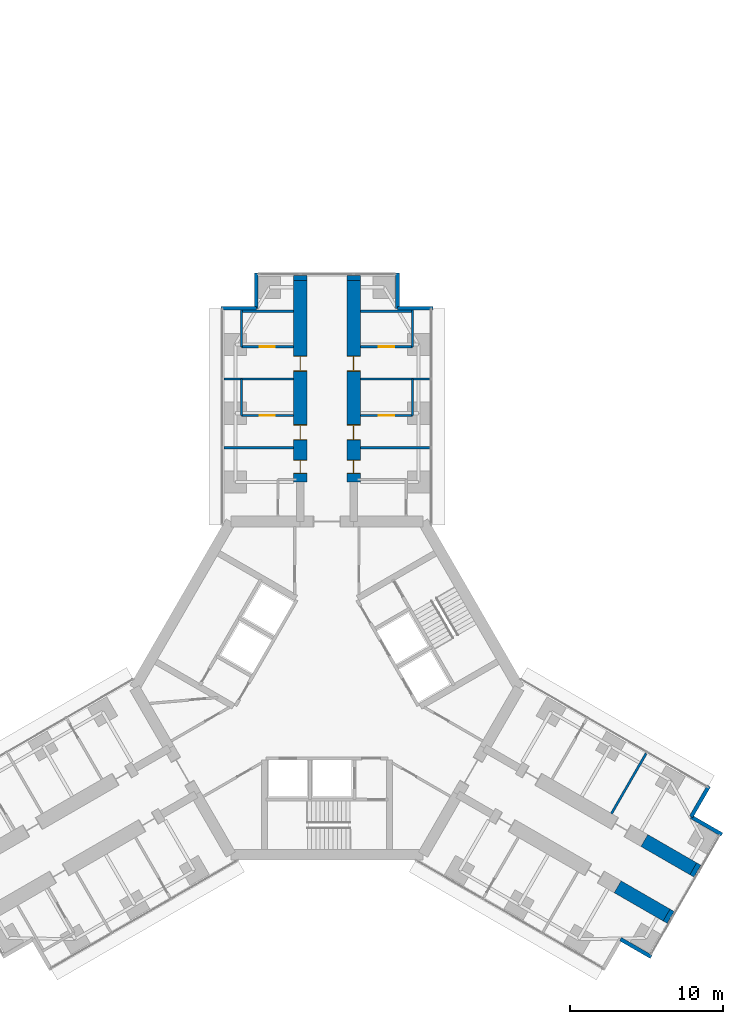
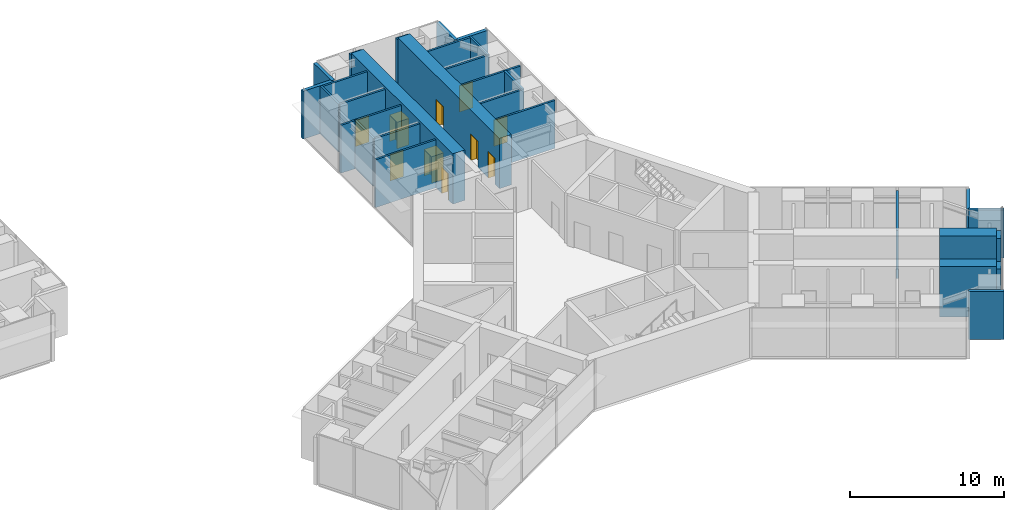
# One storey, part 22 of 24: 30 walls, 10 doors, 10 openings.
"""IFC4 building model written with IfcOpenShell, lengths in metres."""

import ifcopenshell
import ifcopenshell.guid

model = None  # the IFC model being written
_history = None  # IfcOwnerHistory: only IFC2X3 demands one
_inside = {}  # id of a spatial element -> (the spatial element, [elements in it])
_under = {}  # id of a project, library or spatial element -> (it, [spatial elements below it])
_declared = {}  # id of a project -> (the project, [libraries it declares])
_typed = {}  # id of a type object -> (the type object, [elements of that type])
_made_of = {}  # id of a material, layer set ... -> (it, [elements and type objects made of it])


def new_model(schema):
    """Start an empty IFC model of exactly this schema.

    Asked for "IFC4X3", IfcOpenShell would pick the latest addendum, in which some entities
    have other attributes; the version numbers below select the first issue.
    IFC2X3 requires an IfcOwnerHistory on every rooted entity: one is made here for all.
    """
    global model, _history
    if schema == "IFC4X3":
        model = ifcopenshell.file(schema_version=(4, 3, 0, 0))
    else:
        model = ifcopenshell.file(schema=schema)
    _inside.clear()
    _under.clear()
    _declared.clear()
    _typed.clear()
    _made_of.clear()
    _history = None
    if model.schema == "IFC2X3":
        org = make("IfcOrganization", Name="unknown")
        user = make(
            "IfcPersonAndOrganization",
            ThePerson=make("IfcPerson", FamilyName="unknown"),
            TheOrganization=org,
        )
        app = make(
            "IfcApplication",
            ApplicationDeveloper=org,
            Version="unknown",
            ApplicationFullName="unknown",
            ApplicationIdentifier="unknown",
        )
        _history = make(
            "IfcOwnerHistory",
            OwningUser=user,
            OwningApplication=app,
            ChangeAction="ADDED",
            CreationDate=0,
        )
    return model


def make(cls, **values):
    """One entity of the class cls with the attributes given. An attribute that is None is left unset."""
    return model.create_entity(
        cls, **{name: value for name, value in values.items() if value is not None}
    )


def rooted(cls, **values):
    """An entity with a GlobalId (a new one), such as an element, a storey or a relation."""
    return make(cls, GlobalId=ifcopenshell.guid.new(), OwnerHistory=_history, **values)


def si_unit(unit_type, name, prefix=None):
    """IfcSIUnit, for example si_unit("LENGTHUNIT", "METRE", prefix="MILLI")."""
    return make("IfcSIUnit", UnitType=unit_type, Prefix=prefix, Name=name)


def assignment(units):
    """IfcUnitAssignment: the units of a project."""
    return None if units is None else make("IfcUnitAssignment", Units=units)


def point(xyz):
    """IfcCartesianPoint."""
    return None if xyz is None else make("IfcCartesianPoint", Coordinates=xyz)


def direction(xyz):
    """IfcDirection."""
    return None if xyz is None else make("IfcDirection", DirectionRatios=xyz)


def frame(location, z_axis=None, x_axis=None):
    """IfcAxis2Placement3D, a coordinate frame: its origin and axes. An axis left out is left unset."""
    return make(
        "IfcAxis2Placement3D",
        Location=point(location),
        Axis=direction(z_axis),
        RefDirection=direction(x_axis),
    )


def frame_2d(location, x_axis=None):
    """IfcAxis2Placement2D, a coordinate frame in the plane: its origin and x axis."""
    return make(
        "IfcAxis2Placement2D", Location=point(location), RefDirection=direction(x_axis)
    )


def origin():
    """The frame at (0, 0, 0) with its axes left unset."""
    return frame((0.0, 0.0, 0.0))


def place(relative_to, where):
    """IfcLocalPlacement: puts the frame where relative to a parent placement (None: the world)."""
    return make(
        "IfcLocalPlacement", PlacementRelTo=relative_to, RelativePlacement=where
    )


def context(
    kind, dimensions, precision=None, world=None, true_north=None, identifier=None
):
    """IfcGeometricRepresentationContext, for example the 3D "Model" context."""
    return make(
        "IfcGeometricRepresentationContext",
        ContextIdentifier=identifier,
        ContextType=kind,
        CoordinateSpaceDimension=dimensions,
        Precision=precision,
        WorldCoordinateSystem=world,
        TrueNorth=true_north,
    )


def subcontext(parent, identifier, kind, view, scale=None):
    """IfcGeometricRepresentationSubContext, for example "Body" below "Model"."""
    return make(
        "IfcGeometricRepresentationSubContext",
        ContextIdentifier=identifier,
        ContextType=kind,
        ParentContext=parent,
        TargetScale=scale,
        TargetView=view,
    )


def project(units=None, contexts=None):
    """IfcProject with its units and contexts."""
    return rooted(
        "IfcProject",
        Name="project",
        RepresentationContexts=contexts,
        UnitsInContext=assignment(units),
    )


def spatial(cls, under=None, at=None, **own):
    """A site, building, storey or space (cls), placed at a placement, below another one or the project."""
    s = rooted(cls, ObjectPlacement=at, **own)
    if under is not None:
        _under.setdefault(under.id(), (under, []))[1].append(s)
    return s


def profile(cls, at=None, kind="AREA", **sizes):
    """A parametric profile (cls). Its sizes go by their IFC names, for example OverallWidth=200.0."""
    return make(cls, ProfileType=kind, Position=at, **sizes)


def rectangle(**sizes):
    """IfcRectangleProfileDef."""
    return profile("IfcRectangleProfileDef", **sizes)


def extrude(swept, where, along, depth):
    """IfcExtrudedAreaSolid: the profile swept, set in the frame where, extruded along a direction by depth."""
    return make(
        "IfcExtrudedAreaSolid",
        SweptArea=swept,
        Position=where,
        ExtrudedDirection=direction(along),
        Depth=depth,
    )


def shape(context_of_items, identifier, shape_type, items):
    """IfcShapeRepresentation: the items that make up one representation, for example the "Body"."""
    return make(
        "IfcShapeRepresentation",
        ContextOfItems=context_of_items,
        RepresentationIdentifier=identifier,
        RepresentationType=shape_type,
        Items=items,
    )


def material(Name=None, Category=None):
    """IfcMaterial."""
    return make("IfcMaterial", Name=Name, Category=Category)


def layer(
    of_material, thickness, ventilated=None, Name=None, Category=None, Priority=None
):
    """IfcMaterialLayer: one layer of a wall or slab, of a material (None: an air gap)."""
    return make(
        "IfcMaterialLayer",
        Material=of_material,
        LayerThickness=thickness,
        IsVentilated=ventilated,
        Name=Name,
        Category=Category,
        Priority=Priority,
    )


def layer_set(layers, Name=None):
    """IfcMaterialLayerSet."""
    return make("IfcMaterialLayerSet", MaterialLayers=layers, LayerSetName=Name)


def made_of(thing, what):
    """Note that an element or type object is made of a material, layer set ...; save() writes the relation."""
    if what is not None:
        _made_of.setdefault(what.id(), (what, []))[1].append(thing)
    return thing


def type_object(cls, material=None, **own):
    """A type object (cls), such as IfcWallType, which elements share."""
    return made_of(rooted(cls, **own), material)


def element(
    cls,
    number,
    at=None,
    inside=None,
    cuts=None,
    type_object=None,
    material=None,
    context=None,
    identifier="Body",
    shape_type=None,
    held_by="IfcProductDefinitionShape",
    body=None,
    shapes=None,
    **own,
):
    """One element of the class cls, such as IfcWall. Its Tag is "e" and its number.

    at: its placement. inside: the storey or other place that contains it. cuts: it is an
    opening in that element (IfcRelVoidsElement). A single representation is given by context,
    identifier, shape_type and body (its items); several are given by shapes. held_by: the class
    of the entity that holds the representations. save() writes the other relations.
    """
    e = rooted(cls, Tag="e%d" % number, ObjectPlacement=at, **own)
    if body is not None:
        shapes = [shape(context, identifier, shape_type, body)]
    if shapes is not None:
        e.Representation = make(held_by, Representations=shapes)
    if inside is not None:
        _inside.setdefault(inside.id(), (inside, []))[1].append(e)
    if cuts is not None:
        rooted(
            "IfcRelVoidsElement", RelatingBuildingElement=cuts, RelatedOpeningElement=e
        )
    if type_object is not None:
        _typed.setdefault(type_object.id(), (type_object, []))[1].append(e)
    return made_of(e, material)


def fill(opening, filler):
    """IfcRelFillsElement: the door or window that sits in an opening."""
    return rooted(
        "IfcRelFillsElement",
        RelatingOpeningElement=opening,
        RelatedBuildingElement=filler,
    )


def aggregate(whole, parts):
    """IfcRelAggregates: a whole, such as a stair, and the parts it consists of."""
    return rooted("IfcRelAggregates", RelatingObject=whole, RelatedObjects=parts)


def save(model, path):
    """Write the relations noted so far, then the file.

    IfcRelAggregates (storeys below a building ...), IfcRelContainedInSpatialStructure (elements
    in a storey), IfcRelDefinesByType, IfcRelAssociatesMaterial and IfcRelDeclares: one each for
    every whole, place, type object, material and project.
    """
    for whole, parts in _under.values():
        aggregate(whole, parts)
    for where, things in _inside.values():
        rooted(
            "IfcRelContainedInSpatialStructure",
            RelatedElements=things,
            RelatingStructure=where,
        )
    for kind, things in _typed.values():
        rooted("IfcRelDefinesByType", RelatedObjects=things, RelatingType=kind)
    for what, things in _made_of.values():
        rooted("IfcRelAssociatesMaterial", RelatedObjects=things, RelatingMaterial=what)
    for by, libraries in _declared.values():
        rooted("IfcRelDeclares", RelatingContext=by, RelatedDefinitions=libraries)
    model.write(path)


model = new_model("IFC4")

# Units and contexts
model_context = context("Model", 3, precision=1e-05, world=origin(), true_north=direction((0.0, 1.0)))
body_context = subcontext(model_context, "Body", "Model", "MODEL_VIEW")
ifc_project = project(units=[si_unit("LENGTHUNIT", "METRE"), si_unit("AREAUNIT", "SQUARE_METRE"), si_unit("VOLUMEUNIT", "CUBIC_METRE"), si_unit("PLANEANGLEUNIT", "RADIAN"), si_unit("MASSUNIT", "GRAM", prefix="KILO")], contexts=[model_context])

# Site, building, storey
site_placement = place(None, origin())
site = spatial("IfcSite", under=ifc_project, at=site_placement, CompositionType="ELEMENT")
building_placement = place(site_placement, origin())
building = spatial("IfcBuilding", under=site, at=building_placement, Name="Upepo Twin Towers", CompositionType="ELEMENT")
storey_placement = place(building_placement, frame((0.0, 0.0, 68.5)))
storey = spatial("IfcBuildingStorey", under=building, at=storey_placement, Name="L16", CompositionType="ELEMENT", Elevation=68.5)

# Walls
ifc_material_1 = material(Name="Dense concrete blockwork", Category="masonry")
ifc_layer_1 = layer(ifc_material_1, 0.89990234375)
ifc_layer_set_1 = layer_set([ifc_layer_1], Name="Buttress closer 900, blockwork with fire-stopping to the curtain wall")
wall_type_1 = type_object("IfcWallType", Name="Buttress closer 900, blockwork with fire-stopping to the curtain wall", PredefinedType="PARTITIONING", material=ifc_layer_set_1)
for number, where, z_axis, x_axis, name in (
    (1, (56.75, 8.699951171875, 0.0), (0.0, 0.0, 1.0), (0.0, 1.0, 0.0), "T2 L16 wing A buttress closer L"),
    (2, (60.25, 8.699951171875, 0.0), (0.0, 0.0, 1.0), (0.0, 1.0, 0.0), "T2 L16 wing A buttress closer R"),
    (3, (82.497802734375, -29.83447265625, 0.0), (0.0, 0.0, 1.0), (0.866054481515, -0.499949632511, 0.0), "T2 L16 wing C buttress closer L"),
    (4, (80.747802734375, -32.865478515625, 0.0), (0.0, 0.0, 1.0), (0.866054481515, -0.499949632511, 0.0), "T2 L16 wing C buttress closer R"),
):
    element("IfcWall", number, at=place(storey_placement, frame(where, z_axis=z_axis, x_axis=x_axis)), inside=storey, type_object=wall_type_1, Name=name, PredefinedType="PARTITIONING", context=body_context, shape_type="SweptSolid", body=[
        extrude(rectangle(XDim=0.31005859375, YDim=0.89990234375, at=frame_2d((0.155029296875, 0.0))), origin(), (0.0, 0.0, 1.0), 3.800048828125),
    ])

# Wall, openings, doors
ifc_material_2 = material(Name="Concrete C60/75", Category="concrete")
ifc_layer_2 = layer(ifc_material_2, 0.89990234375)
ifc_layer_set_2 = layer_set([ifc_layer_2], Name="Concrete C60/75")
wall_type_2 = type_object("IfcWallType", Name="Buttress wall 900 RC", PredefinedType="SHEAR", material=ifc_layer_set_2)
wall_1_placement = place(storey_placement, frame((56.75, -4.5, 0.0), z_axis=(0.0, 0.0, 1.0), x_axis=(0.0, 1.0, 0.0)))
wall_1 = element("IfcWall", 5, at=wall_1_placement, inside=storey, type_object=wall_type_2, Name="T2 wing A buttress wall L part 2", PredefinedType="SHEAR", context=body_context, shape_type="SweptSolid", body=[
    extrude(rectangle(XDim=13.199951171875, YDim=0.89990234375, at=frame_2d((6.60009765625, 0.0))), origin(), (0.0, 0.0, 1.0), 4.0),
])
opening_1_placement = place(wall_1_placement, frame((0.550048828125, 0.0, 0.0)))
opening_1 = element("IfcOpeningElement", 6, at=opening_1_placement, cuts=wall_1, Name="Opening D11", PredefinedType="OPENING", context=body_context, shape_type="SweptSolid", body=[
    extrude(rectangle(XDim=0.89990234375, YDim=2.10009765625, at=frame_2d((0.449951171875, 1.050048828125))), frame((0.0, 0.4599609375, 0.0), z_axis=(0.0, -1.0, 0.0), x_axis=(1.0, 0.0, 0.0)), (0.0, 0.0, 1.0), 0.919921875),
])
opening_2_placement = place(wall_1_placement, frame((2.75, 0.0, 0.0)))
opening_2 = element("IfcOpeningElement", 7, at=opening_2_placement, cuts=wall_1, Name="Opening D1", PredefinedType="OPENING", context=body_context, shape_type="SweptSolid", body=[
    extrude(rectangle(XDim=1.0, YDim=2.10009765625, at=frame_2d((0.5, 1.050048828125))), frame((0.0, 0.4599609375, 0.0), z_axis=(0.0, -1.0, 0.0), x_axis=(1.0, 0.0, 0.0)), (0.0, 0.0, 1.0), 0.919921875),
])
opening_3_placement = place(wall_1_placement, frame((7.25, 0.0, 0.0)))
opening_3 = element("IfcOpeningElement", 8, at=opening_3_placement, cuts=wall_1, Name="Opening D1", PredefinedType="OPENING", context=body_context, shape_type="SweptSolid", body=[
    extrude(rectangle(XDim=1.0, YDim=2.10009765625, at=frame_2d((0.5, 1.050048828125))), frame((0.0, 0.4599609375, 0.0), z_axis=(0.0, -1.0, 0.0), x_axis=(1.0, 0.0, 0.0)), (0.0, 0.0, 1.0), 0.919921875),
])
ifc_material_3 = material(Name="Timber doorset", Category="wood")
door_type_1 = type_object("IfcDoorType", Name="Room door 1000 FD30", OperationType="SINGLE_SWING_LEFT", PredefinedType="DOOR", material=ifc_material_3)
door_1_placement = place(opening_2_placement, origin())
door_1 = element("IfcDoor", 9, at=door_1_placement, inside=storey, type_object=door_type_1, Name="T2 L16 tutorial room door", OperationType="SINGLE_SWING_LEFT", OverallHeight=2.10009765625, OverallWidth=1.0, PredefinedType="DOOR", context=body_context, shape_type="SweptSolid", body=[
    extrude(rectangle(XDim=0.92, YDim=2.06009765625, at=frame_2d((0.5, 1.030029296875))), frame((0.0, 0.02490234375, 0.0), z_axis=(0.0, -1.0, 0.0), x_axis=(1.0, 0.0, 0.0)), (0.0, 0.0, 1.0), 0.050048828125),
    extrude(rectangle(XDim=0.04, YDim=2.10009765625, at=frame_2d((0.02001953125, 1.050048828125))), frame((0.0, 0.44970703125, 0.0), z_axis=(0.0, -1.0, 0.0), x_axis=(1.0, 0.0, 0.0)), (0.0, 0.0, 1.0), 0.8994140625),
    extrude(rectangle(XDim=0.04, YDim=2.10009765625, at=frame_2d((0.97998046875, 1.050048828125))), frame((0.0, 0.44970703125, 0.0), z_axis=(0.0, -1.0, 0.0), x_axis=(1.0, 0.0, 0.0)), (0.0, 0.0, 1.0), 0.8994140625),
    extrude(rectangle(XDim=0.92, YDim=0.04, at=frame_2d((0.5, 2.080078125))), frame((0.0, 0.44970703125, 0.0), z_axis=(0.0, -1.0, 0.0), x_axis=(1.0, 0.0, 0.0)), (0.0, 0.0, 1.0), 0.8994140625),
])
fill(opening_2, door_1)
door_2_placement = place(opening_3_placement, origin())
door_2 = element("IfcDoor", 10, at=door_2_placement, inside=storey, type_object=door_type_1, Name="T2 L16 staff office door", OperationType="SINGLE_SWING_RIGHT", OverallHeight=2.10009765625, OverallWidth=1.0, PredefinedType="DOOR", context=body_context, shape_type="SweptSolid", body=[
    extrude(rectangle(XDim=0.92, YDim=2.06009765625, at=frame_2d((0.5, 1.030029296875))), frame((0.0, 0.02490234375, 0.0), z_axis=(0.0, -1.0, 0.0), x_axis=(1.0, 0.0, 0.0)), (0.0, 0.0, 1.0), 0.050048828125),
    extrude(rectangle(XDim=0.04, YDim=2.10009765625, at=frame_2d((0.02001953125, 1.050048828125))), frame((0.0, 0.44970703125, 0.0), z_axis=(0.0, -1.0, 0.0), x_axis=(1.0, 0.0, 0.0)), (0.0, 0.0, 1.0), 0.8994140625),
    extrude(rectangle(XDim=0.04, YDim=2.10009765625, at=frame_2d((0.97998046875, 1.050048828125))), frame((0.0, 0.44970703125, 0.0), z_axis=(0.0, -1.0, 0.0), x_axis=(1.0, 0.0, 0.0)), (0.0, 0.0, 1.0), 0.8994140625),
    extrude(rectangle(XDim=0.92, YDim=0.04, at=frame_2d((0.5, 2.080078125))), frame((0.0, 0.44970703125, 0.0), z_axis=(0.0, -1.0, 0.0), x_axis=(1.0, 0.0, 0.0)), (0.0, 0.0, 1.0), 0.8994140625),
])
fill(opening_3, door_2)
ifc_material_4 = material(Name="Timber doorset", Category="wood")
door_type_2 = type_object("IfcDoorType", Name="Toilet door 900", OperationType="SINGLE_SWING_LEFT", PredefinedType="DOOR", material=ifc_material_4)
door_3_placement = place(opening_1_placement, origin())
door_3 = element("IfcDoor", 11, at=door_3_placement, inside=storey, type_object=door_type_2, Name="T2 L16 toilets door", OperationType="SINGLE_SWING_LEFT", OverallHeight=2.10009765625, OverallWidth=0.89990234375, PredefinedType="DOOR", context=body_context, shape_type="SweptSolid", body=[
    extrude(rectangle(XDim=0.81990234375, YDim=2.06009765625, at=frame_2d((0.449951171875, 1.030029296875))), frame((0.0, 0.02490234375, 0.0), z_axis=(0.0, -1.0, 0.0), x_axis=(1.0, 0.0, 0.0)), (0.0, 0.0, 1.0), 0.050048828125),
    extrude(rectangle(XDim=0.04, YDim=2.10009765625, at=frame_2d((0.02001953125, 1.050048828125))), frame((0.0, 0.44970703125, 0.0), z_axis=(0.0, -1.0, 0.0), x_axis=(1.0, 0.0, 0.0)), (0.0, 0.0, 1.0), 0.8994140625),
    extrude(rectangle(XDim=0.04, YDim=2.10009765625, at=frame_2d((0.8798828125, 1.050048828125))), frame((0.0, 0.44970703125, 0.0), z_axis=(0.0, -1.0, 0.0), x_axis=(1.0, 0.0, 0.0)), (0.0, 0.0, 1.0), 0.8994140625),
    extrude(rectangle(XDim=0.81990234375, YDim=0.04, at=frame_2d((0.449951171875, 2.080078125))), frame((0.0, 0.44970703125, 0.0), z_axis=(0.0, -1.0, 0.0), x_axis=(1.0, 0.0, 0.0)), (0.0, 0.0, 1.0), 0.8994140625),
])
fill(opening_1, door_3)

wall_2_placement = place(storey_placement, frame((60.25, -4.5, 0.0), z_axis=(0.0, 0.0, 1.0), x_axis=(0.0, 1.0, 0.0)))
wall_2 = element("IfcWall", 12, at=wall_2_placement, inside=storey, type_object=wall_type_2, Name="T2 wing A buttress wall R part 2", PredefinedType="SHEAR", context=body_context, shape_type="SweptSolid", body=[
    extrude(rectangle(XDim=13.199951171875, YDim=0.89990234375, at=frame_2d((6.60009765625, 0.0))), origin(), (0.0, 0.0, 1.0), 4.0),
])
opening_4_placement = place(wall_2_placement, frame((0.550048828125, 0.0, 0.0)))
opening_4 = element("IfcOpeningElement", 13, at=opening_4_placement, cuts=wall_2, Name="Opening D11", PredefinedType="OPENING", context=body_context, shape_type="SweptSolid", body=[
    extrude(rectangle(XDim=0.89990234375, YDim=2.10009765625, at=frame_2d((0.449951171875, 1.050048828125))), frame((0.0, 0.4599609375, 0.0), z_axis=(0.0, -1.0, 0.0), x_axis=(1.0, 0.0, 0.0)), (0.0, 0.0, 1.0), 0.919921875),
])
opening_5_placement = place(wall_2_placement, frame((2.75, 0.0, 0.0)))
opening_5 = element("IfcOpeningElement", 14, at=opening_5_placement, cuts=wall_2, Name="Opening D1", PredefinedType="OPENING", context=body_context, shape_type="SweptSolid", body=[
    extrude(rectangle(XDim=1.0, YDim=2.10009765625, at=frame_2d((0.5, 1.050048828125))), frame((0.0, 0.4599609375, 0.0), z_axis=(0.0, -1.0, 0.0), x_axis=(1.0, 0.0, 0.0)), (0.0, 0.0, 1.0), 0.919921875),
])
opening_6_placement = place(wall_2_placement, frame((7.25, 0.0, 0.0)))
opening_6 = element("IfcOpeningElement", 15, at=opening_6_placement, cuts=wall_2, Name="Opening D1", PredefinedType="OPENING", context=body_context, shape_type="SweptSolid", body=[
    extrude(rectangle(XDim=1.0, YDim=2.10009765625, at=frame_2d((0.5, 1.050048828125))), frame((0.0, 0.4599609375, 0.0), z_axis=(0.0, -1.0, 0.0), x_axis=(1.0, 0.0, 0.0)), (0.0, 0.0, 1.0), 0.919921875),
])
door_4_placement = place(opening_5_placement, origin())
door_4 = element("IfcDoor", 16, at=door_4_placement, inside=storey, type_object=door_type_1, Name="T2 L16 seminar room door", OperationType="SINGLE_SWING_LEFT", OverallHeight=2.10009765625, OverallWidth=1.0, PredefinedType="DOOR", context=body_context, shape_type="SweptSolid", body=[
    extrude(rectangle(XDim=0.92, YDim=2.06009765625, at=frame_2d((0.5, 1.030029296875))), frame((0.0, 0.02490234375, 0.0), z_axis=(0.0, -1.0, 0.0), x_axis=(1.0, 0.0, 0.0)), (0.0, 0.0, 1.0), 0.050048828125),
    extrude(rectangle(XDim=0.04, YDim=2.10009765625, at=frame_2d((0.02001953125, 1.050048828125))), frame((0.0, 0.44970703125, 0.0), z_axis=(0.0, -1.0, 0.0), x_axis=(1.0, 0.0, 0.0)), (0.0, 0.0, 1.0), 0.8994140625),
    extrude(rectangle(XDim=0.04, YDim=2.10009765625, at=frame_2d((0.97998046875, 1.050048828125))), frame((0.0, 0.44970703125, 0.0), z_axis=(0.0, -1.0, 0.0), x_axis=(1.0, 0.0, 0.0)), (0.0, 0.0, 1.0), 0.8994140625),
    extrude(rectangle(XDim=0.92, YDim=0.04, at=frame_2d((0.5, 2.080078125))), frame((0.0, 0.44970703125, 0.0), z_axis=(0.0, -1.0, 0.0), x_axis=(1.0, 0.0, 0.0)), (0.0, 0.0, 1.0), 0.8994140625),
])
fill(opening_5, door_4)
door_5_placement = place(opening_6_placement, origin())
door_5 = element("IfcDoor", 17, at=door_5_placement, inside=storey, type_object=door_type_1, Name="T2 L16 tutorial room door", OperationType="SINGLE_SWING_RIGHT", OverallHeight=2.10009765625, OverallWidth=1.0, PredefinedType="DOOR", context=body_context, shape_type="SweptSolid", body=[
    extrude(rectangle(XDim=0.92, YDim=2.06009765625, at=frame_2d((0.5, 1.030029296875))), frame((0.0, 0.02490234375, 0.0), z_axis=(0.0, -1.0, 0.0), x_axis=(1.0, 0.0, 0.0)), (0.0, 0.0, 1.0), 0.050048828125),
    extrude(rectangle(XDim=0.04, YDim=2.10009765625, at=frame_2d((0.02001953125, 1.050048828125))), frame((0.0, 0.44970703125, 0.0), z_axis=(0.0, -1.0, 0.0), x_axis=(1.0, 0.0, 0.0)), (0.0, 0.0, 1.0), 0.8994140625),
    extrude(rectangle(XDim=0.04, YDim=2.10009765625, at=frame_2d((0.97998046875, 1.050048828125))), frame((0.0, 0.44970703125, 0.0), z_axis=(0.0, -1.0, 0.0), x_axis=(1.0, 0.0, 0.0)), (0.0, 0.0, 1.0), 0.8994140625),
    extrude(rectangle(XDim=0.92, YDim=0.04, at=frame_2d((0.5, 2.080078125))), frame((0.0, 0.44970703125, 0.0), z_axis=(0.0, -1.0, 0.0), x_axis=(1.0, 0.0, 0.0)), (0.0, 0.0, 1.0), 0.8994140625),
])
fill(opening_6, door_5)
door_6_placement = place(opening_4_placement, origin())
door_6 = element("IfcDoor", 18, at=door_6_placement, inside=storey, type_object=door_type_2, Name="T2 L16 accessible wc door", OperationType="SINGLE_SWING_LEFT", OverallHeight=2.10009765625, OverallWidth=0.89990234375, PredefinedType="DOOR", context=body_context, shape_type="SweptSolid", body=[
    extrude(rectangle(XDim=0.81990234375, YDim=2.06009765625, at=frame_2d((0.449951171875, 1.030029296875))), frame((0.0, 0.02490234375, 0.0), z_axis=(0.0, -1.0, 0.0), x_axis=(1.0, 0.0, 0.0)), (0.0, 0.0, 1.0), 0.050048828125),
    extrude(rectangle(XDim=0.04, YDim=2.10009765625, at=frame_2d((0.02001953125, 1.050048828125))), frame((0.0, 0.44970703125, 0.0), z_axis=(0.0, -1.0, 0.0), x_axis=(1.0, 0.0, 0.0)), (0.0, 0.0, 1.0), 0.8994140625),
    extrude(rectangle(XDim=0.04, YDim=2.10009765625, at=frame_2d((0.8798828125, 1.050048828125))), frame((0.0, 0.44970703125, 0.0), z_axis=(0.0, -1.0, 0.0), x_axis=(1.0, 0.0, 0.0)), (0.0, 0.0, 1.0), 0.8994140625),
    extrude(rectangle(XDim=0.81990234375, YDim=0.04, at=frame_2d((0.449951171875, 2.080078125))), frame((0.0, 0.44970703125, 0.0), z_axis=(0.0, -1.0, 0.0), x_axis=(1.0, 0.0, 0.0)), (0.0, 0.0, 1.0), 0.8994140625),
])
fill(opening_4, door_6)

# Walls
wall_3_placement = place(storey_placement, frame((79.293701171875, -27.984375, 0.0), z_axis=(0.0, 0.0, 1.0), x_axis=(0.866000971088, -0.500042316284, 0.0)))
element("IfcWall", 19, at=wall_3_placement, inside=storey, type_object=wall_type_2, Name="T2 wing C buttress wall L part 3", PredefinedType="SHEAR", context=body_context, shape_type="SweptSolid", body=[
    extrude(rectangle(XDim=3.699951171875, YDim=0.89990234375, at=frame_2d((1.85009765625, 0.0))), origin(), (0.0, 0.0, 1.0), 4.0),
])
wall_4_placement = place(storey_placement, frame((77.543701171875, -31.015625, 0.0), z_axis=(0.0, 0.0, 1.0), x_axis=(0.866029545028, -0.499992827086, 0.0)))
element("IfcWall", 20, at=wall_4_placement, inside=storey, type_object=wall_type_2, Name="T2 wing C buttress wall R part 3", PredefinedType="SHEAR", context=body_context, shape_type="SweptSolid", body=[
    extrude(rectangle(XDim=3.69970703125, YDim=0.89990234375, at=frame_2d((1.849853515625, 0.0))), origin(), (0.0, 0.0, 1.0), 4.0),
])
ifc_material_5 = material(Name="Blockwork with anodised aluminium cladding", Category="masonry")
ifc_layer_3 = layer(ifc_material_5, 0.25)
ifc_layer_set_3 = layer_set([ifc_layer_3], Name="Notch cladding wall 250, pale metal")
wall_type_3 = type_object("IfcWallType", Name="Notch cladding wall 250, pale metal", PredefinedType="STANDARD", material=ifc_layer_set_3)
for number, where, z_axis, x_axis, name in (
    (21, (51.550048828125, 6.875, 0.0), (0.0, 0.0, 1.0), (1.0, 0.0, 0.0), "T2 L16 wing A notch wall L1"),
    (22, (53.875, 6.875, 0.0), (0.0, 0.0, 1.0), (0.0, 1.0, 0.0), "T2 L16 wing A notch wall L2"),
    (23, (65.449951171875, 6.875, 0.0), (0.0, 0.0, 1.0), (-1.0, 0.0, 0.0), "T2 L16 wing A notch wall R1"),
    (24, (63.125, 6.875, 0.0), (0.0, 0.0, 1.0), (0.0, 1.0, 0.0), "T2 L16 wing A notch wall R2"),
    (25, (83.517333984375, -24.418701171875, 0.0), (0.0, 0.0, 1.0), (-0.499967891604, -0.866043940782, 0.0), "T2 L16 wing C notch wall L1"),
    (26, (82.35498046875, -26.43212890625, 0.0), (0.0, 0.0, 1.0), (0.865998469481, -0.500046648681, 0.0), "T2 L16 wing C notch wall L2"),
    (27, (77.72998046875, -34.44287109375, 0.0), (0.0, 0.0, 1.0), (0.865998469481, -0.500046648681, 0.0), "T2 L16 wing C notch wall R2"),
):
    element("IfcWall", number, at=place(storey_placement, frame(where, z_axis=z_axis, x_axis=x_axis)), inside=storey, type_object=wall_type_3, Name=name, PredefinedType="STANDARD", context=body_context, shape_type="SweptSolid", body=[
        extrude(rectangle(XDim=2.324951171875, YDim=0.25, at=frame_2d((1.16259765625, 0.0))), origin(), (0.0, 0.0, 1.0), 3.800048828125),
    ])
ifc_material_6 = material(Name="Gypsum board on steel studs", Category="steel")
ifc_layer_4 = layer(ifc_material_6, 0.14990234375)
ifc_layer_set_4 = layer_set([ifc_layer_4], Name="Teaching partition 150 acoustic")
wall_type_4 = type_object("IfcWallType", Name="Teaching partition 150 acoustic", PredefinedType="PARTITIONING", material=ifc_layer_set_4)
for number, where, z_axis, x_axis, name in (
    (28, (56.300048828125, -2.25, 0.0), (0.0, 0.0, 1.0), (-1.0, 0.0, 0.0), "T2 partition AL at 15.75"),
    (29, (56.300048828125, 2.25, 0.0), (0.0, 0.0, 1.0), (-1.0, 0.0, 0.0), "T2 partition AL at 20.25"),
):
    element("IfcWall", number, at=place(storey_placement, frame(where, z_axis=z_axis, x_axis=x_axis)), inside=storey, type_object=wall_type_4, Name=name, PredefinedType="PARTITIONING", context=body_context, shape_type="SweptSolid", body=[
        extrude(rectangle(XDim=4.550048828125, YDim=0.14990234375, at=frame_2d((2.27490234375, 0.0))), origin(), (0.0, 0.0, 1.0), 3.800048828125),
    ])
wall_5_placement = place(storey_placement, frame((52.89990234375, -0.14990234375, 0.0), z_axis=(0.0, 0.0, 1.0), x_axis=(0.0, 1.0, 0.0)))
element("IfcWall", 30, at=wall_5_placement, inside=storey, type_object=wall_type_4, Name="T2 inner room partition AL at 17.85", PredefinedType="PARTITIONING", context=body_context, shape_type="SweptSolid", body=[
    extrude(rectangle(XDim=2.39990234375, YDim=0.14990234375, at=frame_2d((1.199951171875, 0.0))), origin(), (0.0, 0.0, 1.0), 3.800048828125),
])

# Wall, opening, door
wall_6_placement = place(storey_placement, frame((56.300048828125, -0.14990234375, 0.0), z_axis=(0.0, 0.0, 1.0), x_axis=(-1.0, 0.0, 0.0)))
wall_6 = element("IfcWall", 31, at=wall_6_placement, inside=storey, type_object=wall_type_4, Name="T2 inner room partition AL end at 17.85", PredefinedType="PARTITIONING", context=body_context, shape_type="SweptSolid", body=[
    extrude(rectangle(XDim=3.400146484375, YDim=0.14990234375, at=frame_2d((1.7001953125, 0.0))), origin(), (0.0, 0.0, 1.0), 3.800048828125),
])
opening_7_placement = place(wall_6_placement, frame((1.199951171875, 0.0, 0.0)))
opening_7 = element("IfcOpeningElement", 32, at=opening_7_placement, cuts=wall_6, Name="Opening D1", PredefinedType="OPENING", context=body_context, shape_type="SweptSolid", body=[
    extrude(rectangle(XDim=1.0, YDim=2.10009765625, at=frame_2d((0.5, 1.050048828125))), frame((0.0, 0.0849609375, 0.0), z_axis=(0.0, -1.0, 0.0), x_axis=(1.0, 0.0, 0.0)), (0.0, 0.0, 1.0), 0.169921875),
])
door_7_placement = place(opening_7_placement, origin())
door_7 = element("IfcDoor", 33, at=door_7_placement, inside=storey, type_object=door_type_1, Name="T2 L16 inner room door", OperationType="SINGLE_SWING_LEFT", OverallHeight=2.10009765625, OverallWidth=1.0, PredefinedType="DOOR", context=body_context, shape_type="SweptSolid", body=[
    extrude(rectangle(XDim=1.0, YDim=2.10009765625, at=frame_2d((0.5, 1.050048828125))), frame((0.0, 0.02490234375, 0.0), z_axis=(0.0, -1.0, 0.0), x_axis=(1.0, 0.0, 0.0)), (0.0, 0.0, 1.0), 0.050048828125),
])
fill(opening_7, door_7)

# Wall
wall_7_placement = place(storey_placement, frame((52.89990234375, 4.35009765625, 0.0), z_axis=(0.0, 0.0, 1.0), x_axis=(0.0, 1.0, 0.0)))
element("IfcWall", 34, at=wall_7_placement, inside=storey, type_object=wall_type_4, Name="T2 inner room partition AL at 22.35", PredefinedType="PARTITIONING", context=body_context, shape_type="SweptSolid", body=[
    extrude(rectangle(XDim=2.39990234375, YDim=0.14990234375, at=frame_2d((1.199951171875, 0.0))), origin(), (0.0, 0.0, 1.0), 3.800048828125),
])

# Wall, opening, door
wall_8_placement = place(storey_placement, frame((56.300048828125, 4.35009765625, 0.0), z_axis=(0.0, 0.0, 1.0), x_axis=(-1.0, 0.0, 0.0)))
wall_8 = element("IfcWall", 35, at=wall_8_placement, inside=storey, type_object=wall_type_4, Name="T2 inner room partition AL end at 22.35", PredefinedType="PARTITIONING", context=body_context, shape_type="SweptSolid", body=[
    extrude(rectangle(XDim=3.400146484375, YDim=0.14990234375, at=frame_2d((1.7001953125, 0.0))), origin(), (0.0, 0.0, 1.0), 3.800048828125),
])
opening_8_placement = place(wall_8_placement, frame((1.199951171875, 0.0, 0.0)))
opening_8 = element("IfcOpeningElement", 36, at=opening_8_placement, cuts=wall_8, Name="Opening D1", PredefinedType="OPENING", context=body_context, shape_type="SweptSolid", body=[
    extrude(rectangle(XDim=1.0, YDim=2.10009765625, at=frame_2d((0.5, 1.050048828125))), frame((0.0, 0.0849609375, 0.0), z_axis=(0.0, -1.0, 0.0), x_axis=(1.0, 0.0, 0.0)), (0.0, 0.0, 1.0), 0.169921875),
])
door_8_placement = place(opening_8_placement, origin())
door_8 = element("IfcDoor", 37, at=door_8_placement, inside=storey, type_object=door_type_1, Name="T2 L16 inner room door", OperationType="SINGLE_SWING_LEFT", OverallHeight=2.10009765625, OverallWidth=1.0, PredefinedType="DOOR", context=body_context, shape_type="SweptSolid", body=[
    extrude(rectangle(XDim=1.0, YDim=2.10009765625, at=frame_2d((0.5, 1.050048828125))), frame((0.0, 0.02490234375, 0.0), z_axis=(0.0, -1.0, 0.0), x_axis=(1.0, 0.0, 0.0)), (0.0, 0.0, 1.0), 0.050048828125),
])
fill(opening_8, door_8)

# Walls
wall_9_placement = place(storey_placement, frame((56.300048828125, 6.675048828125, 0.0), z_axis=(0.0, 0.0, 1.0), x_axis=(-1.0, 0.0, 0.0)))
element("IfcWall", 38, at=wall_9_placement, inside=storey, type_object=wall_type_4, Name="T2 inner room partition AL end at 24.75", PredefinedType="PARTITIONING", context=body_context, shape_type="SweptSolid", body=[
    extrude(rectangle(XDim=3.400146484375, YDim=0.14990234375, at=frame_2d((1.7001953125, 0.0))), origin(), (0.0, 0.0, 1.0), 3.800048828125),
])
for number, where, z_axis, x_axis, name in (
    (39, (60.699951171875, -2.25, 0.0), (0.0, 0.0, 1.0), (1.0, 0.0, 0.0), "T2 partition AR at 15.75"),
    (40, (60.699951171875, 2.25, 0.0), (0.0, 0.0, 1.0), (1.0, 0.0, 0.0), "T2 partition AR at 20.25"),
):
    element("IfcWall", number, at=place(storey_placement, frame(where, z_axis=z_axis, x_axis=x_axis)), inside=storey, type_object=wall_type_4, Name=name, PredefinedType="PARTITIONING", context=body_context, shape_type="SweptSolid", body=[
        extrude(rectangle(XDim=4.550048828125, YDim=0.14990234375, at=frame_2d((2.27490234375, 0.0))), origin(), (0.0, 0.0, 1.0), 3.800048828125),
    ])
wall_10_placement = place(storey_placement, frame((64.10009765625, -0.14990234375, 0.0), z_axis=(0.0, 0.0, 1.0), x_axis=(0.0, 1.0, 0.0)))
element("IfcWall", 41, at=wall_10_placement, inside=storey, type_object=wall_type_4, Name="T2 inner room partition AR at 17.85", PredefinedType="PARTITIONING", context=body_context, shape_type="SweptSolid", body=[
    extrude(rectangle(XDim=2.39990234375, YDim=0.14990234375, at=frame_2d((1.199951171875, 0.0))), origin(), (0.0, 0.0, 1.0), 3.800048828125),
])

# Wall, opening, door
wall_11_placement = place(storey_placement, frame((60.699951171875, -0.14990234375, 0.0), z_axis=(0.0, 0.0, 1.0), x_axis=(1.0, 0.0, 0.0)))
wall_11 = element("IfcWall", 42, at=wall_11_placement, inside=storey, type_object=wall_type_4, Name="T2 inner room partition AR end at 17.85", PredefinedType="PARTITIONING", context=body_context, shape_type="SweptSolid", body=[
    extrude(rectangle(XDim=3.400146484375, YDim=0.14990234375, at=frame_2d((1.7001953125, 0.0))), origin(), (0.0, 0.0, 1.0), 3.800048828125),
])
opening_9_placement = place(wall_11_placement, frame((1.199951171875, 0.0, 0.0)))
opening_9 = element("IfcOpeningElement", 43, at=opening_9_placement, cuts=wall_11, Name="Opening D1", PredefinedType="OPENING", context=body_context, shape_type="SweptSolid", body=[
    extrude(rectangle(XDim=1.0, YDim=2.10009765625, at=frame_2d((0.5, 1.050048828125))), frame((0.0, 0.0849609375, 0.0), z_axis=(0.0, -1.0, 0.0), x_axis=(1.0, 0.0, 0.0)), (0.0, 0.0, 1.0), 0.169921875),
])
door_9_placement = place(opening_9_placement, origin())
door_9 = element("IfcDoor", 44, at=door_9_placement, inside=storey, type_object=door_type_1, Name="T2 L16 inner room door", OperationType="SINGLE_SWING_LEFT", OverallHeight=2.10009765625, OverallWidth=1.0, PredefinedType="DOOR", context=body_context, shape_type="SweptSolid", body=[
    extrude(rectangle(XDim=1.0, YDim=2.10009765625, at=frame_2d((0.5, 1.050048828125))), frame((0.0, 0.02490234375, 0.0), z_axis=(0.0, -1.0, 0.0), x_axis=(1.0, 0.0, 0.0)), (0.0, 0.0, 1.0), 0.050048828125),
])
fill(opening_9, door_9)

# Wall
wall_12_placement = place(storey_placement, frame((64.10009765625, 4.35009765625, 0.0), z_axis=(0.0, 0.0, 1.0), x_axis=(0.0, 1.0, 0.0)))
element("IfcWall", 45, at=wall_12_placement, inside=storey, type_object=wall_type_4, Name="T2 inner room partition AR at 22.35", PredefinedType="PARTITIONING", context=body_context, shape_type="SweptSolid", body=[
    extrude(rectangle(XDim=2.39990234375, YDim=0.14990234375, at=frame_2d((1.199951171875, 0.0))), origin(), (0.0, 0.0, 1.0), 3.800048828125),
])

# Wall, opening, door
wall_13_placement = place(storey_placement, frame((60.699951171875, 4.35009765625, 0.0), z_axis=(0.0, 0.0, 1.0), x_axis=(1.0, 0.0, 0.0)))
wall_13 = element("IfcWall", 46, at=wall_13_placement, inside=storey, type_object=wall_type_4, Name="T2 inner room partition AR end at 22.35", PredefinedType="PARTITIONING", context=body_context, shape_type="SweptSolid", body=[
    extrude(rectangle(XDim=3.400146484375, YDim=0.14990234375, at=frame_2d((1.7001953125, 0.0))), origin(), (0.0, 0.0, 1.0), 3.800048828125),
])
opening_10_placement = place(wall_13_placement, frame((1.199951171875, 0.0, 0.0)))
opening_10 = element("IfcOpeningElement", 47, at=opening_10_placement, cuts=wall_13, Name="Opening D1", PredefinedType="OPENING", context=body_context, shape_type="SweptSolid", body=[
    extrude(rectangle(XDim=1.0, YDim=2.10009765625, at=frame_2d((0.5, 1.050048828125))), frame((0.0, 0.0849609375, 0.0), z_axis=(0.0, -1.0, 0.0), x_axis=(1.0, 0.0, 0.0)), (0.0, 0.0, 1.0), 0.169921875),
])
door_10_placement = place(opening_10_placement, origin())
door_10 = element("IfcDoor", 48, at=door_10_placement, inside=storey, type_object=door_type_1, Name="T2 L16 inner room door", OperationType="SINGLE_SWING_LEFT", OverallHeight=2.10009765625, OverallWidth=1.0, PredefinedType="DOOR", context=body_context, shape_type="SweptSolid", body=[
    extrude(rectangle(XDim=1.0, YDim=2.10009765625, at=frame_2d((0.5, 1.050048828125))), frame((0.0, 0.02490234375, 0.0), z_axis=(0.0, -1.0, 0.0), x_axis=(1.0, 0.0, 0.0)), (0.0, 0.0, 1.0), 0.050048828125),
])
fill(opening_10, door_10)

# Walls
wall_14_placement = place(storey_placement, frame((60.699951171875, 6.675048828125, 0.0), z_axis=(0.0, 0.0, 1.0), x_axis=(1.0, 0.0, 0.0)))
element("IfcWall", 49, at=wall_14_placement, inside=storey, type_object=wall_type_4, Name="T2 inner room partition AR end at 24.75", PredefinedType="PARTITIONING", context=body_context, shape_type="SweptSolid", body=[
    extrude(rectangle(XDim=3.400146484375, YDim=0.14990234375, at=frame_2d((1.7001953125, 0.0))), origin(), (0.0, 0.0, 1.0), 3.800048828125),
])
wall_15_placement = place(storey_placement, frame((77.136962890625, -26.2197265625, 0.0), z_axis=(0.0, 0.0, 1.0), x_axis=(0.500022803284, 0.866012237902, 0.0)))
element("IfcWall", 50, at=wall_15_placement, inside=storey, type_object=wall_type_4, Name="T2 partition CL at 20.25", PredefinedType="PARTITIONING", context=body_context, shape_type="SweptSolid", body=[
    extrude(rectangle(XDim=4.550048828125, YDim=0.14990234375, at=frame_2d((2.27490234375, 0.0))), origin(), (0.0, 0.0, 1.0), 3.800048828125),
])

save(model, "model.ifc")
